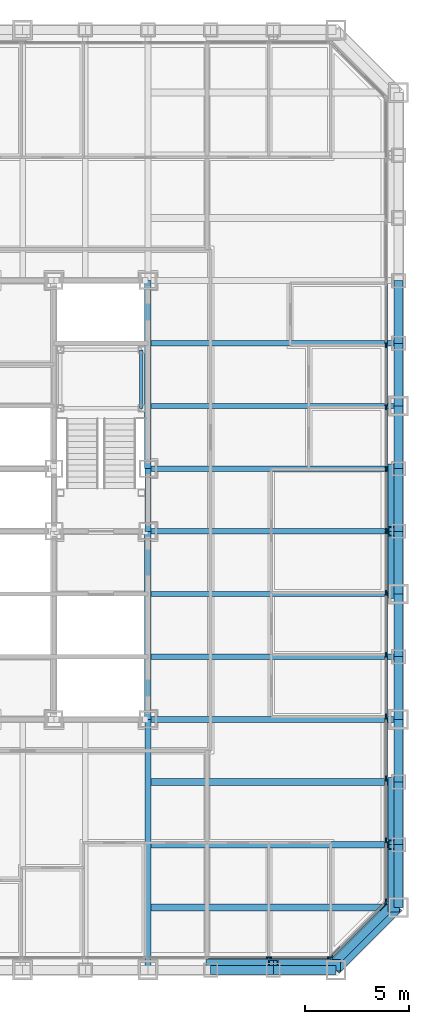
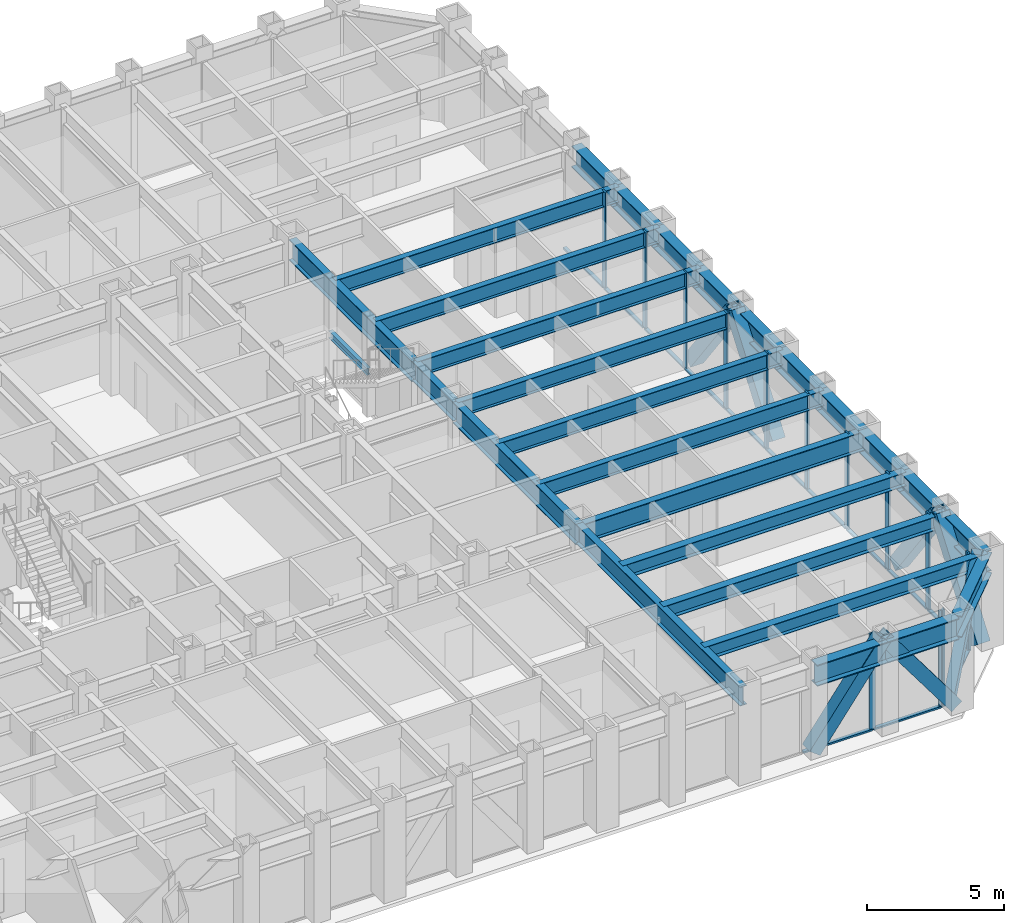
# One storey, part 4 of 16: 34 members, 28 beams, 3 elements without a shape of their own.
"""IFC4 building model written with IfcOpenShell, lengths in metres."""

from ifc_helpers import new_model, si_unit, direction, frame, origin, origin_2d, place, context, subcontext, project, spatial, rectangle, hollow_rectangle, i_section, extrude, material, layer, layer_set, material_profile, profile_set, type_object, element, aggregate, save


model = new_model("IFC4")

# Units and contexts
model_context = context("Model", 3, precision=1e-05, world=origin(), true_north=direction((0.0, 1.0)))
body_context = subcontext(model_context, "Body", "Model", "MODEL_VIEW")
ifc_project = project(units=[si_unit("LENGTHUNIT", "METRE"), si_unit("AREAUNIT", "SQUARE_METRE"), si_unit("VOLUMEUNIT", "CUBIC_METRE"), si_unit("PLANEANGLEUNIT", "RADIAN"), si_unit("MASSUNIT", "GRAM", prefix="KILO")], contexts=[model_context])

# Site, building, storey
site_placement = place(None, origin())
site = spatial("IfcSite", under=ifc_project, at=site_placement, CompositionType="ELEMENT")
building_placement = place(site_placement, origin())
building = spatial("IfcBuilding", under=site, at=building_placement, Name="Chuquiago Exchange Tower", CompositionType="ELEMENT")
storey_placement = place(building_placement, frame((0.0, 0.0, 78.300048828125)))
storey = spatial("IfcBuildingStorey", under=building, at=storey_placement, Name="L16", CompositionType="ELEMENT", Elevation=78.300048828125)

# Beams
ifc_material_1 = material(Name="Steel ASTM A992", Category="steel")
ifc_material_profile_1 = material_profile(ifc_material_1, i_section(OverallWidth=0.307373046875, OverallDepth=0.927001953125, WebThickness=0.01953125, FlangeThickness=0.031982421875, at=origin_2d()), Name="W36X194")
ifc_profile_set_1 = profile_set([ifc_material_profile_1], Name="Steel ASTM A992")
beam_type_1 = type_object("IfcBeamType", Name="B10 W36X194", PredefinedType="BEAM", material=ifc_profile_set_1)
for number, where, z_axis, x_axis, name in (
    (1, (33.0, 12.0, 3.576416015625), (0.0, 1.0, 0.0), (-1.0, 0.0, 0.0), "CB-L17-33_12-33_21"),
    (2, (33.0, 24.0, 3.576416015625), (0.0, 1.0, 0.0), (-1.0, 0.0, 0.0), "CB-L17-33_24-33_33"),
):
    element("IfcBeam", number, at=place(storey_placement, frame(where, z_axis=z_axis, x_axis=x_axis)), inside=storey, type_object=beam_type_1, Name=name, PredefinedType="BEAM", context=body_context, shape_type="SweptSolid", body=[
        extrude(i_section(OverallWidth=0.307373046875, OverallDepth=0.927001953125, WebThickness=0.01953125, FlangeThickness=0.031982421875, at=origin_2d()), origin(), (0.0, 0.0, 1.0), 9.0),
    ])
ifc_material_2 = material(Name="Steel ASTM A992", Category="steel")
ifc_material_profile_2 = material_profile(ifc_material_2, i_section(OverallWidth=0.2919921875, OverallDepth=0.8583984375, WebThickness=0.01708984375, FlangeThickness=0.031005859375, at=origin_2d()), Name="W33X169")
ifc_profile_set_2 = profile_set([ifc_material_profile_2], Name="Steel ASTM A992")
beam_type_2 = type_object("IfcBeamType", Name="B3 W33X169", PredefinedType="BEAM", material=ifc_profile_set_2)
beam_1_placement = place(storey_placement, frame((33.0, 21.0, 3.610595703125), z_axis=(0.0, 1.0, 0.0), x_axis=(-1.0, 0.0, 0.0)))
element("IfcBeam", 3, at=beam_1_placement, inside=storey, type_object=beam_type_2, Name="CB-L17-33_21-33_24", PredefinedType="BEAM", context=body_context, shape_type="SweptSolid", body=[
    extrude(i_section(OverallWidth=0.2919921875, OverallDepth=0.8583984375, WebThickness=0.01708984375, FlangeThickness=0.031005859375, at=origin_2d()), origin(), (0.0, 0.0, 1.0), 3.0),
])
ifc_material_3 = material(Name="Steel ASTM A992", Category="steel")
ifc_material_profile_3 = material_profile(ifc_material_3, i_section(OverallWidth=0.256591796875, OverallDepth=0.693359375, WebThickness=0.014404296875, FlangeThickness=0.023681640625, at=origin_2d()), Name="W27X114")
ifc_profile_set_3 = profile_set([ifc_material_profile_3], Name="Steel ASTM A992")
beam_type_3 = type_object("IfcBeamType", Name="B4 W27X114", PredefinedType="BEAM", material=ifc_profile_set_3)
for number, where, z_axis, x_axis, name in (
    (4, (33.0, 15.0, 3.693359375), (1.0, 0.0, 0.0), (0.0, 1.0, 0.0), "FB-L17-infill-33_15-45_15-0"),
    (5, (33.0, 18.0, 3.693359375), (1.0, 0.0, 0.0), (0.0, 1.0, 0.0), "FB-L17-infill-33_18-45_18-0"),
    (6, (33.0, 21.0, 3.693359375), (1.0, 0.0, 0.0), (0.0, 1.0, 0.0), "FB-L17-infill-33_21-45_21-0"),
    (7, (33.0, 24.0, 3.693359375), (1.0, 0.0, 0.0), (0.0, 1.0, 0.0), "FB-L17-infill-33_24-45_24-0"),
    (8, (33.0, 27.0, 3.693359375), (1.0, 0.0, 0.0), (0.0, 1.0, 0.0), "FB-L17-infill-33_27-45_27-0"),
    (9, (33.0, 30.0, 3.693359375), (1.0, 0.0, 0.0), (0.0, 1.0, 0.0), "FB-L17-infill-33_30-45_30-0"),
):
    element("IfcBeam", number, at=place(storey_placement, frame(where, z_axis=z_axis, x_axis=x_axis)), inside=storey, type_object=beam_type_3, Name=name, PredefinedType="BEAM", context=body_context, shape_type="SweptSolid", body=[
        extrude(i_section(OverallWidth=0.256591796875, OverallDepth=0.693359375, WebThickness=0.014404296875, FlangeThickness=0.023681640625, at=origin_2d()), origin(), (0.0, 0.0, 1.0), 12.0),
    ])
ifc_material_4 = material(Name="Steel ASTM A992", Category="steel")
ifc_material_profile_4 = material_profile(ifc_material_4, i_section(OverallWidth=0.3251953125, OverallDepth=0.6171875, WebThickness=0.013916015625, FlangeThickness=0.021484375, at=origin_2d()), Name="W24X117")
ifc_profile_set_4 = profile_set([ifc_material_profile_4], Name="Steel ASTM A992")
beam_type_4 = type_object("IfcBeamType", Name="B5 W24X117", PredefinedType="BEAM", material=ifc_profile_set_4)
for number, where, z_axis, x_axis, name in (
    (10, (33.0, 3.0, 3.7314453125), (1.0, 0.0, 0.0), (0.0, 1.0, 0.0), "FB-L17-corner-33_3-45_3-0"),
    (11, (33.0, 6.0, 3.7314453125), (1.0, 0.0, 0.0), (0.0, 1.0, 0.0), "FB-L17-corner-33_6-45_6-0"),
    (12, (33.0, 9.0, 3.7314453125), (1.0, 0.0, 0.0), (0.0, 1.0, 0.0), "FB-L17-corner-33_9-45_9-0"),
):
    element("IfcBeam", number, at=place(storey_placement, frame(where, z_axis=z_axis, x_axis=x_axis)), inside=storey, type_object=beam_type_4, Name=name, PredefinedType="BEAM", context=body_context, shape_type="SweptSolid", body=[
        extrude(i_section(OverallWidth=0.3251953125, OverallDepth=0.6171875, WebThickness=0.013916015625, FlangeThickness=0.021484375, at=origin_2d()), origin(), (0.0, 0.0, 1.0), 12.0),
    ])

# Curtain wall, members
ifc_material_5 = material(Name="Aluminium curtain wall system", Category="aluminium")
ifc_layer_1 = layer(ifc_material_5, 0.25)
ifc_layer_set_1 = layer_set([ifc_layer_1], Name="CW1 trading floor curtain wall")
curtain_wall_type_1 = type_object("IfcCurtainWallType", Name="CW1 trading floor curtain wall", PredefinedType="NOTDEFINED", material=ifc_layer_set_1)
curtain_wall_1_placement = place(storey_placement, origin())
curtain_wall_1 = element("IfcCurtainWall", 13, at=curtain_wall_1_placement, inside=storey, type_object=curtain_wall_type_1, Name="CW1 curtain wall L16", PredefinedType="NOTDEFINED")
ifc_material_6 = material(Name="Aluminium mullion, pale anodised", Category="aluminium")
ifc_material_profile_5 = material_profile(ifc_material_6, rectangle(XDim=0.074951171875, YDim=0.25, at=origin_2d()), Name="AL 75x250")
ifc_profile_set_5 = profile_set([ifc_material_profile_5], Name="Aluminium mullion, pale anodised")
member_type_1 = type_object("IfcMemberType", Name="CW1-M mullion 75x250", PredefinedType="MULLION", material=ifc_profile_set_5)
member_1_placement = place(storey_placement, frame((38.789794921875, 0.60009765625, -0.300048828125), z_axis=(0.0, 0.0, 1.0), x_axis=(0.0, 1.0, 0.0)))
member_1 = element("IfcMember", 14, at=member_1_placement, type_object=member_type_1, Name="CW1 mullion 13", PredefinedType="MULLION", context=body_context, shape_type="SweptSolid", body=[
    extrude(rectangle(XDim=0.074951171875, YDim=0.25, at=origin_2d()), origin(), (0.0, 0.0, 1.0), 4.340087890625),
])
member_2_placement = place(storey_placement, frame((41.714111328125, 0.60009765625, -0.300048828125), z_axis=(0.0, 0.0, 1.0), x_axis=(0.0, 1.0, 0.0)))
member_2 = element("IfcMember", 15, at=member_2_placement, type_object=member_type_1, Name="CW1 mullion 14", PredefinedType="MULLION", context=body_context, shape_type="SweptSolid", body=[
    extrude(rectangle(XDim=0.074951171875, YDim=0.25, at=origin_2d()), origin(), (0.0, 0.0, 1.0), 4.340087890625),
])

curtain_wall_2_placement = place(storey_placement, origin())
curtain_wall_2 = element("IfcCurtainWall", 16, at=curtain_wall_2_placement, inside=storey, type_object=curtain_wall_type_1, Name="CW1 curtain wall L16", PredefinedType="NOTDEFINED")
member_3_placement = place(storey_placement, frame((44.39990234375, 3.285888671875, -0.300048828125), z_axis=(0.0, 0.0, 1.0), x_axis=(-1.0, 0.0, 0.0)))
member_3 = element("IfcMember", 17, at=member_3_placement, type_object=member_type_1, Name="CW1 mullion 1", PredefinedType="MULLION", context=body_context, shape_type="SweptSolid", body=[
    extrude(rectangle(XDim=0.074951171875, YDim=0.25, at=origin_2d()), origin(), (0.0, 0.0, 1.0), 4.340087890625),
])
member_4_placement = place(storey_placement, frame((44.39990234375, 6.210205078125, -0.300048828125), z_axis=(0.0, 0.0, 1.0), x_axis=(-1.0, 0.0, 0.0)))
member_4 = element("IfcMember", 18, at=member_4_placement, type_object=member_type_1, Name="CW1 mullion 2", PredefinedType="MULLION", context=body_context, shape_type="SweptSolid", body=[
    extrude(rectangle(XDim=0.074951171875, YDim=0.25, at=origin_2d()), origin(), (0.0, 0.0, 1.0), 4.340087890625),
])
member_5_placement = place(storey_placement, frame((44.39990234375, 9.172119140625, -0.300048828125), z_axis=(0.0, 0.0, 1.0), x_axis=(-1.0, 0.0, 0.0)))
member_5 = element("IfcMember", 19, at=member_5_placement, type_object=member_type_1, Name="CW1 mullion 3", PredefinedType="MULLION", context=body_context, shape_type="SweptSolid", body=[
    extrude(rectangle(XDim=0.074951171875, YDim=0.25, at=origin_2d()), origin(), (0.0, 0.0, 1.0), 4.340087890625),
])
member_6_placement = place(storey_placement, frame((44.39990234375, 12.1337890625, -0.300048828125), z_axis=(0.0, 0.0, 1.0), x_axis=(-1.0, 0.0, 0.0)))
member_6 = element("IfcMember", 20, at=member_6_placement, type_object=member_type_1, Name="CW1 mullion 4", PredefinedType="MULLION", context=body_context, shape_type="SweptSolid", body=[
    extrude(rectangle(XDim=0.074951171875, YDim=0.25, at=origin_2d()), origin(), (0.0, 0.0, 1.0), 4.340087890625),
])
member_7_placement = place(storey_placement, frame((44.39990234375, 15.095458984375, -0.300048828125), z_axis=(0.0, 0.0, 1.0), x_axis=(-1.0, 0.0, 0.0)))
member_7 = element("IfcMember", 21, at=member_7_placement, type_object=member_type_1, Name="CW1 mullion 5", PredefinedType="MULLION", context=body_context, shape_type="SweptSolid", body=[
    extrude(rectangle(XDim=0.074951171875, YDim=0.25, at=origin_2d()), origin(), (0.0, 0.0, 1.0), 4.340087890625),
])
member_8_placement = place(storey_placement, frame((44.39990234375, 18.057373046875, -0.300048828125), z_axis=(0.0, 0.0, 1.0), x_axis=(-1.0, 0.0, 0.0)))
member_8 = element("IfcMember", 22, at=member_8_placement, type_object=member_type_1, Name="CW1 mullion 6", PredefinedType="MULLION", context=body_context, shape_type="SweptSolid", body=[
    extrude(rectangle(XDim=0.074951171875, YDim=0.25, at=origin_2d()), origin(), (0.0, 0.0, 1.0), 4.340087890625),
])
member_9_placement = place(storey_placement, frame((44.39990234375, 21.01904296875, -0.300048828125), z_axis=(0.0, 0.0, 1.0), x_axis=(-1.0, 0.0, 0.0)))
member_9 = element("IfcMember", 23, at=member_9_placement, type_object=member_type_1, Name="CW1 mullion 7", PredefinedType="MULLION", context=body_context, shape_type="SweptSolid", body=[
    extrude(rectangle(XDim=0.074951171875, YDim=0.25, at=origin_2d()), origin(), (0.0, 0.0, 1.0), 4.340087890625),
])
member_10_placement = place(storey_placement, frame((44.39990234375, 23.98095703125, -0.300048828125), z_axis=(0.0, 0.0, 1.0), x_axis=(-1.0, 0.0, 0.0)))
member_10 = element("IfcMember", 24, at=member_10_placement, type_object=member_type_1, Name="CW1 mullion 8", PredefinedType="MULLION", context=body_context, shape_type="SweptSolid", body=[
    extrude(rectangle(XDim=0.074951171875, YDim=0.25, at=origin_2d()), origin(), (0.0, 0.0, 1.0), 4.340087890625),
])
member_11_placement = place(storey_placement, frame((44.39990234375, 26.942626953125, -0.300048828125), z_axis=(0.0, 0.0, 1.0), x_axis=(-1.0, 0.0, 0.0)))
member_11 = element("IfcMember", 25, at=member_11_placement, type_object=member_type_1, Name="CW1 mullion 9", PredefinedType="MULLION", context=body_context, shape_type="SweptSolid", body=[
    extrude(rectangle(XDim=0.074951171875, YDim=0.25, at=origin_2d()), origin(), (0.0, 0.0, 1.0), 4.340087890625),
])
member_12_placement = place(storey_placement, frame((44.39990234375, 29.904541015625, -0.300048828125), z_axis=(0.0, 0.0, 1.0), x_axis=(-1.0, 0.0, 0.0)))
member_12 = element("IfcMember", 26, at=member_12_placement, type_object=member_type_1, Name="CW1 mullion 10", PredefinedType="MULLION", context=body_context, shape_type="SweptSolid", body=[
    extrude(rectangle(XDim=0.074951171875, YDim=0.25, at=origin_2d()), origin(), (0.0, 0.0, 1.0), 4.340087890625),
])

# Member
ifc_material_7 = material(Name="Aluminium transom, pale anodised", Category="aluminium")
ifc_material_profile_6 = material_profile(ifc_material_7, rectangle(XDim=0.14990234375, YDim=0.074951171875, at=origin_2d()), Name="AL 150x75")
ifc_profile_set_6 = profile_set([ifc_material_profile_6], Name="Aluminium transom, pale anodised")
member_type_2 = type_object("IfcMemberType", Name="CW1-T transom 75x150", PredefinedType="MULLION", material=ifc_profile_set_6)
member_13_placement = place(storey_placement, frame((35.865478515625, 0.60009765625, -0.262451171875), z_axis=(1.0, 0.0, 0.0), x_axis=(0.0, 1.0, 0.0)))
member_13 = element("IfcMember", 27, at=member_13_placement, type_object=member_type_2, Name="CW1 transom 12.1", PredefinedType="MULLION", context=body_context, shape_type="SweptSolid", body=[
    extrude(rectangle(XDim=0.14990234375, YDim=0.074951171875, at=origin_2d()), origin(), (0.0, 0.0, 1.0), 2.88671875),
])

member_14_placement = place(storey_placement, frame((38.8271484375, 0.60009765625, -0.262451171875), z_axis=(1.0, 0.0, 0.0), x_axis=(0.0, 1.0, 0.0)))
member_14 = element("IfcMember", 28, at=member_14_placement, type_object=member_type_2, Name="CW1 transom 13.1", PredefinedType="MULLION", context=body_context, shape_type="SweptSolid", body=[
    extrude(rectangle(XDim=0.14990234375, YDim=0.074951171875, at=origin_2d()), origin(), (0.0, 0.0, 1.0), 2.849365234375),
])

aggregate(curtain_wall_1, [member_1, member_2, member_13, member_14])

member_15_placement = place(storey_placement, frame((44.39990234375, 3.323486328125, -0.262451171875), z_axis=(0.0, 1.0, 0.0), x_axis=(-1.0, 0.0, 0.0)))
member_15 = element("IfcMember", 29, at=member_15_placement, type_object=member_type_2, Name="CW1 transom 1.1", PredefinedType="MULLION", context=body_context, shape_type="SweptSolid", body=[
    extrude(rectangle(XDim=0.14990234375, YDim=0.074951171875, at=origin_2d()), origin(), (0.0, 0.0, 1.0), 2.849365234375),
])

member_16_placement = place(storey_placement, frame((44.39990234375, 6.247802734375, -0.262451171875), z_axis=(0.0, 1.0, 0.0), x_axis=(-1.0, 0.0, 0.0)))
member_16 = element("IfcMember", 30, at=member_16_placement, type_object=member_type_2, Name="CW1 transom 2.1", PredefinedType="MULLION", context=body_context, shape_type="SweptSolid", body=[
    extrude(rectangle(XDim=0.14990234375, YDim=0.074951171875, at=origin_2d()), origin(), (0.0, 0.0, 1.0), 2.88671875),
])

member_17_placement = place(storey_placement, frame((44.39990234375, 9.20947265625, -0.262451171875), z_axis=(0.0, 1.0, 0.0), x_axis=(-1.0, 0.0, 0.0)))
member_17 = element("IfcMember", 31, at=member_17_placement, type_object=member_type_2, Name="CW1 transom 3.1", PredefinedType="MULLION", context=body_context, shape_type="SweptSolid", body=[
    extrude(rectangle(XDim=0.14990234375, YDim=0.074951171875, at=origin_2d()), origin(), (0.0, 0.0, 1.0), 2.88671875),
])

member_18_placement = place(storey_placement, frame((44.39990234375, 12.17138671875, -0.262451171875), z_axis=(0.0, 1.0, 0.0), x_axis=(-1.0, 0.0, 0.0)))
member_18 = element("IfcMember", 32, at=member_18_placement, type_object=member_type_2, Name="CW1 transom 4.1", PredefinedType="MULLION", context=body_context, shape_type="SweptSolid", body=[
    extrude(rectangle(XDim=0.14990234375, YDim=0.074951171875, at=origin_2d()), origin(), (0.0, 0.0, 1.0), 2.88671875),
])

member_19_placement = place(storey_placement, frame((44.39990234375, 15.133056640625, -0.262451171875), z_axis=(0.0, 1.0, 0.0), x_axis=(-1.0, 0.0, 0.0)))
member_19 = element("IfcMember", 33, at=member_19_placement, type_object=member_type_2, Name="CW1 transom 5.1", PredefinedType="MULLION", context=body_context, shape_type="SweptSolid", body=[
    extrude(rectangle(XDim=0.14990234375, YDim=0.074951171875, at=origin_2d()), origin(), (0.0, 0.0, 1.0), 2.88671875),
])

member_20_placement = place(storey_placement, frame((44.39990234375, 18.0947265625, -0.262451171875), z_axis=(0.0, 1.0, 0.0), x_axis=(-1.0, 0.0, 0.0)))
member_20 = element("IfcMember", 34, at=member_20_placement, type_object=member_type_2, Name="CW1 transom 6.1", PredefinedType="MULLION", context=body_context, shape_type="SweptSolid", body=[
    extrude(rectangle(XDim=0.14990234375, YDim=0.074951171875, at=origin_2d()), origin(), (0.0, 0.0, 1.0), 2.886962890625),
])

member_21_placement = place(storey_placement, frame((44.39990234375, 21.056640625, -0.262451171875), z_axis=(0.0, 1.0, 0.0), x_axis=(-1.0, 0.0, 0.0)))
member_21 = element("IfcMember", 35, at=member_21_placement, type_object=member_type_2, Name="CW1 transom 7.1", PredefinedType="MULLION", context=body_context, shape_type="SweptSolid", body=[
    extrude(rectangle(XDim=0.14990234375, YDim=0.074951171875, at=origin_2d()), origin(), (0.0, 0.0, 1.0), 2.88671875),
])

member_22_placement = place(storey_placement, frame((44.39990234375, 24.018310546875, -0.262451171875), z_axis=(0.0, 1.0, 0.0), x_axis=(-1.0, 0.0, 0.0)))
member_22 = element("IfcMember", 36, at=member_22_placement, type_object=member_type_2, Name="CW1 transom 8.1", PredefinedType="MULLION", context=body_context, shape_type="SweptSolid", body=[
    extrude(rectangle(XDim=0.14990234375, YDim=0.074951171875, at=origin_2d()), origin(), (0.0, 0.0, 1.0), 2.886962890625),
])

member_23_placement = place(storey_placement, frame((44.39990234375, 26.980224609375, -0.262451171875), z_axis=(0.0, 1.0, 0.0), x_axis=(-1.0, 0.0, 0.0)))
member_23 = element("IfcMember", 37, at=member_23_placement, type_object=member_type_2, Name="CW1 transom 9.1", PredefinedType="MULLION", context=body_context, shape_type="SweptSolid", body=[
    extrude(rectangle(XDim=0.14990234375, YDim=0.074951171875, at=origin_2d()), origin(), (0.0, 0.0, 1.0), 2.88671875),
])

member_24_placement = place(storey_placement, frame((44.39990234375, 29.94189453125, -0.262451171875), z_axis=(0.0, 1.0, 0.0), x_axis=(-1.0, 0.0, 0.0)))
member_24 = element("IfcMember", 38, at=member_24_placement, type_object=member_type_2, Name="CW1 transom 10.1", PredefinedType="MULLION", context=body_context, shape_type="SweptSolid", body=[
    extrude(rectangle(XDim=0.14990234375, YDim=0.074951171875, at=origin_2d()), origin(), (0.0, 0.0, 1.0), 2.88671875),
])

aggregate(curtain_wall_2, [member_3, member_4, member_5, member_6, member_7, member_8, member_9, member_10, member_11, member_12, member_15, member_16, member_17, member_18, member_19, member_20, member_21, member_22, member_23, member_24])

# Curtain wall, members
ifc_material_8 = material(Name="Aluminium curtain wall system", Category="aluminium")
ifc_layer_2 = layer(ifc_material_8, 0.199951171875)
ifc_layer_set_2 = layer_set([ifc_layer_2], Name="CW3 facet curtain wall")
curtain_wall_type_2 = type_object("IfcCurtainWallType", Name="CW3 facet curtain wall", PredefinedType="NOTDEFINED", material=ifc_layer_set_2)
curtain_wall_3_placement = place(storey_placement, origin())
curtain_wall_3 = element("IfcCurtainWall", 39, at=curtain_wall_3_placement, inside=storey, type_object=curtain_wall_type_2, Name="CW3 curtain wall L16", PredefinedType="NOTDEFINED")
ifc_material_9 = material(Name="Aluminium mullion, pale anodised", Category="aluminium")
ifc_material_profile_7 = material_profile(ifc_material_9, rectangle(XDim=0.06494140625, YDim=0.199951171875, at=origin_2d()), Name="AL 65x200")
ifc_profile_set_7 = profile_set([ifc_material_profile_7], Name="Aluminium mullion, pale anodised")
member_type_3 = type_object("IfcMemberType", Name="CW3-M mullion 65x200", PredefinedType="MULLION", material=ifc_profile_set_7)
member_25_placement = place(storey_placement, frame((41.7744140625, 0.623046875, -0.300048828125), z_axis=(0.0, 0.0, 1.0), x_axis=(-0.707106781187, 0.707106781187, 0.0)))
member_25 = element("IfcMember", 40, at=member_25_placement, type_object=member_type_3, Name="CW3 mullion 1", PredefinedType="MULLION", context=body_context, shape_type="SweptSolid", body=[
    extrude(rectangle(XDim=0.06494140625, YDim=0.199951171875, at=origin_2d()), origin(), (0.0, 0.0, 1.0), 4.340087890625),
])
member_26_placement = place(storey_placement, frame((44.376953125, 3.2255859375, -0.300048828125), z_axis=(0.0, 0.0, 1.0), x_axis=(-0.707106781187, 0.707106781187, 0.0)))
member_26 = element("IfcMember", 41, at=member_26_placement, type_object=member_type_3, Name="CW3 mullion 2", PredefinedType="MULLION", context=body_context, shape_type="SweptSolid", body=[
    extrude(rectangle(XDim=0.06494140625, YDim=0.199951171875, at=origin_2d()), origin(), (0.0, 0.0, 1.0), 4.340087890625),
])
ifc_material_10 = material(Name="Aluminium transom, pale anodised", Category="aluminium")
ifc_material_profile_8 = material_profile(ifc_material_10, rectangle(XDim=0.139892578125, YDim=0.06494140625, at=origin_2d()), Name="AL 140x65")
ifc_profile_set_8 = profile_set([ifc_material_profile_8], Name="Aluminium transom, pale anodised")
member_type_4 = type_object("IfcMemberType", Name="CW3-T transom 65x140", PredefinedType="MULLION", material=ifc_profile_set_8)
member_27_placement = place(storey_placement, frame((41.79736328125, 0.64599609375, -0.267578125), z_axis=(0.707106781187, 0.707106781187, 0.0), x_axis=(-0.707106781187, 0.707106781187, 0.0)))
member_27 = element("IfcMember", 42, at=member_27_placement, type_object=member_type_4, Name="CW3 transom 1.1", PredefinedType="MULLION", context=body_context, shape_type="SweptSolid", body=[
    extrude(rectangle(XDim=0.139892578125, YDim=0.06494140625, at=origin_2d()), origin(), (0.0, 0.0, 1.0), 3.61572265625),
])
aggregate(curtain_wall_3, [member_25, member_26, member_27])

# Beams
ifc_material_11 = material(Name="Steel ASTM A992", Category="steel")
ifc_material_profile_9 = material_profile(ifc_material_11, i_section(OverallWidth=0.2919921875, OverallDepth=0.8583984375, WebThickness=0.01708984375, FlangeThickness=0.031005859375, at=origin_2d()), Name="W33X169")
ifc_profile_set_9 = profile_set([ifc_material_profile_9], Name="Steel ASTM A992")
beam_type_5 = type_object("IfcBeamType", Name="G2 W33X169", PredefinedType="BEAM", material=ifc_profile_set_9)
for number, where, z_axis, x_axis, name in (
    (43, (33.0, 12.0, 3.610595703125), (0.0, -1.0, 0.0), (1.0, 0.0, 0.0), "FB-L17-girder-33_12-33_-0-0"),
    (44, (33.0, 12.0, 3.610595703125), (1.0, 0.0, 0.0), (0.0, 1.0, 0.0), "FB-L17-girder-33_12-45_12-0"),
):
    element("IfcBeam", number, at=place(storey_placement, frame(where, z_axis=z_axis, x_axis=x_axis)), inside=storey, type_object=beam_type_5, Name=name, PredefinedType="BEAM", context=body_context, shape_type="SweptSolid", body=[
        extrude(i_section(OverallWidth=0.2919921875, OverallDepth=0.8583984375, WebThickness=0.01708984375, FlangeThickness=0.031005859375, at=origin_2d()), origin(), (0.0, 0.0, 1.0), 12.0),
    ])

# Member
ifc_material_12 = material(Name="Steel ASTM A500 Grade C", Category="steel")
ifc_material_profile_10 = material_profile(ifc_material_12, hollow_rectangle(XDim=0.406494140625, YDim=0.406494140625, WallThickness=0.0146484375, at=origin_2d()), Name="HSS16X16X5/8")
ifc_profile_set_10 = profile_set([ifc_material_profile_10], Name="Steel ASTM A500 Grade C")
member_type_5 = type_object("IfcMemberType", Name="LB4 HSS16X16X5/8", PredefinedType="BRACE", material=ifc_profile_set_10)
member_28_placement = place(storey_placement, frame((41.78662109375, 0.21337890625, 0.0), z_axis=(0.512077265487, 0.512077265487, 0.689604051861), x_axis=(-0.707106781187, 0.707106781187, 0.0)))
element("IfcMember", 45, at=member_28_placement, inside=storey, type_object=member_type_5, Name="LB-L16-42_0-45_3", PredefinedType="BRACE", context=body_context, shape_type="SweptSolid", body=[
    extrude(hollow_rectangle(XDim=0.406494140625, YDim=0.406494140625, WallThickness=0.0146484375, at=origin_2d()), origin(), (0.0, 0.0, 1.0), 5.8583984375),
])

# Beam
ifc_material_13 = material(Name="Steel ASTM A992", Category="steel")
ifc_material_profile_11 = material_profile(ifc_material_13, i_section(OverallWidth=0.164794921875, OverallDepth=0.309814453125, WebThickness=0.005859375, FlangeThickness=0.009765625, at=origin_2d()), Name="W12X26")
ifc_profile_set_11 = profile_set([ifc_material_profile_11], Name="Steel ASTM A992")
beam_type_6 = type_object("IfcBeamType", Name="LS1 W12X26", PredefinedType="BEAM", material=ifc_profile_set_11)
beam_2_placement = place(storey_placement, frame((32.68994140625, 26.889892578125, 1.89501953125), z_axis=(0.0, 1.0, 0.0), x_axis=(-1.0, 0.0, 0.0)))
element("IfcBeam", 46, at=beam_2_placement, inside=storey, type_object=beam_type_6, Name="Stair ST2 L16 landing 1 stringer", PredefinedType="BEAM", context=body_context, shape_type="SweptSolid", body=[
    extrude(i_section(OverallWidth=0.164794921875, OverallDepth=0.309814453125, WebThickness=0.005859375, FlangeThickness=0.009765625, at=origin_2d()), origin(), (0.0, 0.0, 1.0), 2.800048828125),
])

# Members
ifc_material_14 = material(Name="Steel ASTM A572 Grade 50", Category="steel")
ifc_material_profile_12 = material_profile(ifc_material_14, hollow_rectangle(XDim=0.550048828125, YDim=0.550048828125, WallThickness=0.044921875, at=origin_2d()), Name="BOX550X550X45")
ifc_profile_set_12 = profile_set([ifc_material_profile_12], Name="Steel ASTM A572 Grade 50")
member_type_6 = type_object("IfcMemberType", Name="MB1 BOX550X550X45", PredefinedType="BRACE", material=ifc_profile_set_12)
for number, where, z_axis, x_axis, name in (
    (47, (36.0, 0.22998046875, 0.0), (0.596173923302, 0.0, 0.802855312728), (0.0, 1.0, 0.0), "Mega diagonal L16 S face"),
    (48, (42.0, 0.22998046875, 0.0), (-0.596173923302, 0.0, 0.802855312728), (0.0, -1.0, 0.0), "Mega diagonal L16 S face"),
    (49, (44.77001953125, 3.0, 0.0), (0.0, 0.596173923302, 0.802855312728), (-1.0, 0.0, 0.0), "Mega diagonal L16 E face"),
    (50, (44.77001953125, 9.0, 0.0), (0.0, -0.596173923302, 0.802855312728), (1.0, 0.0, 0.0), "Mega diagonal L16 E face"),
    (51, (44.77001953125, 18.0, 0.0), (0.0, 0.596173923302, 0.802855312728), (-1.0, 0.0, 0.0), "Mega diagonal L16 E face"),
    (52, (44.77001953125, 24.0, 0.0), (0.0, -0.596173923302, 0.802855312728), (1.0, 0.0, 0.0), "Mega diagonal L16 E face"),
):
    element("IfcMember", number, at=place(storey_placement, frame(where, z_axis=z_axis, x_axis=x_axis)), inside=storey, type_object=member_type_6, Name=name, PredefinedType="BRACE", context=body_context, shape_type="SweptSolid", body=[
        extrude(hollow_rectangle(XDim=0.550048828125, YDim=0.550048828125, WallThickness=0.044921875, at=origin_2d()), origin(), (0.0, 0.0, 1.0), 5.031982421875),
    ])

# Beams
ifc_material_15 = material(Name="Steel ASTM A992", Category="steel")
ifc_material_profile_13 = material_profile(ifc_material_15, i_section(OverallWidth=0.424072265625, OverallDepth=0.947509765625, WebThickness=0.02392578125, FlangeThickness=0.042724609375, at=origin_2d()), Name="W36X302")
ifc_profile_set_13 = profile_set([ifc_material_profile_13], Name="Steel ASTM A992")
beam_type_7 = type_object("IfcBeamType", Name="SP1 W36X302", PredefinedType="SPANDREL", material=ifc_profile_set_13)
for number, where, z_axis, x_axis, name in (
    (53, (36.0, 0.0, 3.566162109375), (1.0, 0.0, 0.0), (0.0, 1.0, 0.0), "SPB-L17-36_0-39_0"),
    (54, (39.0, 0.0, 3.566162109375), (1.0, 0.0, 0.0), (0.0, 1.0, 0.0), "SPB-L17-39_0-42_0"),
):
    element("IfcBeam", number, at=place(storey_placement, frame(where, z_axis=z_axis, x_axis=x_axis)), inside=storey, type_object=beam_type_7, Name=name, PredefinedType="SPANDREL", context=body_context, shape_type="SweptSolid", body=[
        extrude(i_section(OverallWidth=0.424072265625, OverallDepth=0.947509765625, WebThickness=0.02392578125, FlangeThickness=0.042724609375, at=origin_2d()), origin(), (0.0, 0.0, 1.0), 3.0),
    ])
beam_3_placement = place(storey_placement, frame((42.0, 0.0, 3.566162109375), z_axis=(0.707106781187, 0.707106781187, 0.0), x_axis=(-0.707106781187, 0.707106781187, 0.0)))
element("IfcBeam", 55, at=beam_3_placement, inside=storey, type_object=beam_type_7, Name="SPB-L17-42_0-45_3", PredefinedType="SPANDREL", context=body_context, shape_type="SweptSolid", body=[
    extrude(i_section(OverallWidth=0.424072265625, OverallDepth=0.947509765625, WebThickness=0.02392578125, FlangeThickness=0.042724609375, at=origin_2d()), origin(), (0.0, 0.0, 1.0), 4.24267578125),
])
for number, where, z_axis, x_axis, name in (
    (56, (45.0, 3.0, 3.566162109375), (0.0, 1.0, 0.0), (-1.0, 0.0, 0.0), "SPB-L17-45_3-45_6"),
    (57, (45.0, 6.0, 3.566162109375), (0.0, 1.0, 0.0), (-1.0, 0.0, 0.0), "SPB-L17-45_6-45_9"),
    (58, (45.0, 9.0, 3.566162109375), (0.0, 1.0, 0.0), (-1.0, 0.0, 0.0), "SPB-L17-45_9-45_12"),
    (59, (45.0, 12.0, 3.566162109375), (0.0, 1.0, 0.0), (-1.0, 0.0, 0.0), "SPB-L17-45_12-45_15"),
    (60, (45.0, 15.0, 3.566162109375), (0.0, 1.0, 0.0), (-1.0, 0.0, 0.0), "SPB-L17-45_15-45_18"),
    (61, (45.0, 18.0, 3.566162109375), (0.0, 1.0, 0.0), (-1.0, 0.0, 0.0), "SPB-L17-45_18-45_21"),
    (62, (45.0, 21.0, 3.566162109375), (0.0, 1.0, 0.0), (-1.0, 0.0, 0.0), "SPB-L17-45_21-45_24"),
    (63, (45.0, 24.0, 3.566162109375), (0.0, 1.0, 0.0), (-1.0, 0.0, 0.0), "SPB-L17-45_24-45_27"),
    (64, (45.0, 27.0, 3.566162109375), (0.0, 1.0, 0.0), (-1.0, 0.0, 0.0), "SPB-L17-45_27-45_30"),
    (65, (45.0, 30.0, 3.566162109375), (0.0, 1.0, 0.0), (-1.0, 0.0, 0.0), "SPB-L17-45_30-45_33"),
):
    element("IfcBeam", number, at=place(storey_placement, frame(where, z_axis=z_axis, x_axis=x_axis)), inside=storey, type_object=beam_type_7, Name=name, PredefinedType="SPANDREL", context=body_context, shape_type="SweptSolid", body=[
        extrude(i_section(OverallWidth=0.424072265625, OverallDepth=0.947509765625, WebThickness=0.02392578125, FlangeThickness=0.042724609375, at=origin_2d()), origin(), (0.0, 0.0, 1.0), 3.0),
    ])

save(model, "model.ifc")
